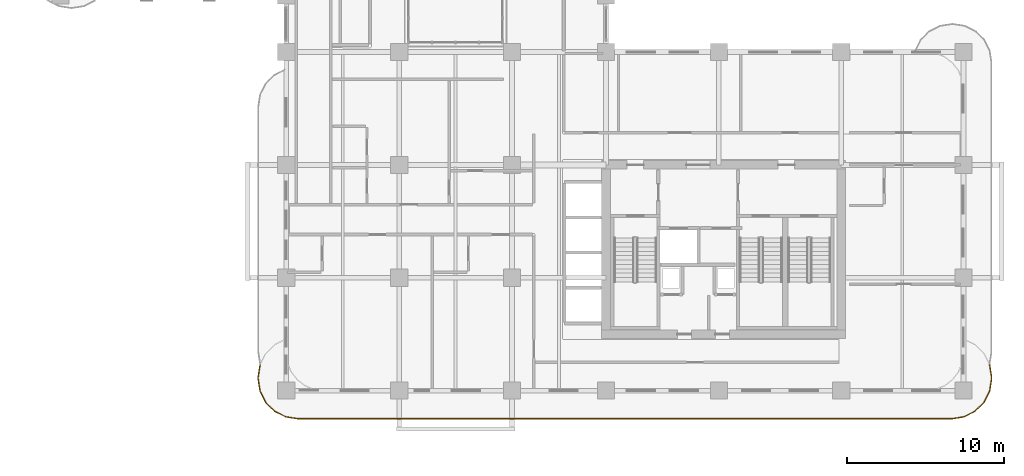
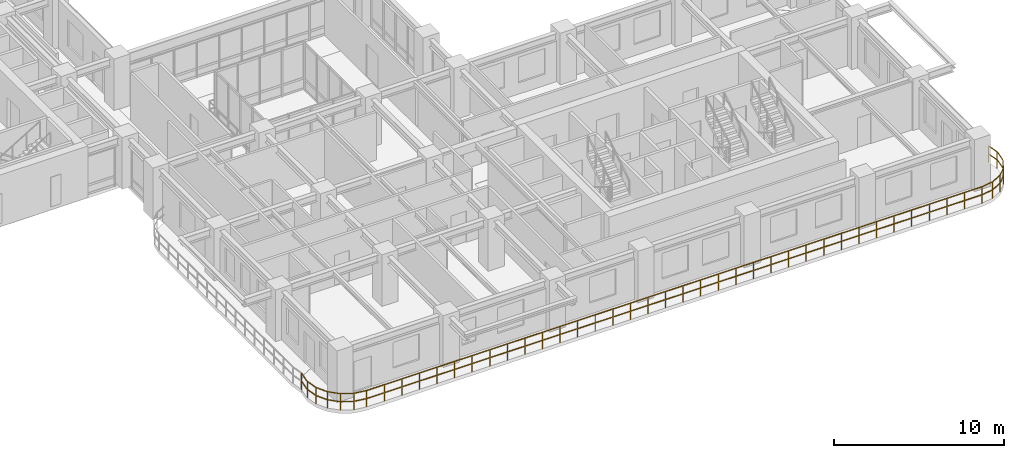
# One storey, part 19 of 22: 1 railing.
"""IFC4 building model written with IfcOpenShell, lengths in metres."""

from ifc_helpers import new_model, si_unit, derived_unit, direction, frame, origin, origin_2d, place, context, subcontext, project, spatial, rectangle, extrude, material, type_object, element, save


model = new_model("IFC4")

# Units and contexts
model_context = context("Model", 3, precision=1e-05, world=origin(), true_north=direction((0.0, 1.0)))
body_context = subcontext(model_context, "Body", "Model", "MODEL_VIEW")
ifc_project = project(units=[si_unit("LENGTHUNIT", "METRE"), si_unit("AREAUNIT", "SQUARE_METRE"), si_unit("VOLUMEUNIT", "CUBIC_METRE"), si_unit("PLANEANGLEUNIT", "RADIAN"), si_unit("MASSUNIT", "GRAM", prefix="KILO"), si_unit("THERMODYNAMICTEMPERATUREUNIT", "KELVIN"), si_unit("POWERUNIT", "WATT"), derived_unit("THERMALTRANSMITTANCEUNIT", [(si_unit("POWERUNIT", "WATT"), 1), (si_unit("AREAUNIT", "SQUARE_METRE"), -1), (si_unit("THERMODYNAMICTEMPERATUREUNIT", "KELVIN"), -1)])], contexts=[model_context])

# Site, building, storey
site_placement = place(None, origin())
site = spatial("IfcSite", under=ifc_project, at=site_placement, CompositionType="ELEMENT")
building_placement = place(site_placement, origin())
building = spatial("IfcBuilding", under=site, at=building_placement, Name="Zahravan Archway Hotel and Residences", CompositionType="ELEMENT")
storey_placement = place(building_placement, frame((0.0, 0.0, 87.89990234375)))
storey = spatial("IfcBuildingStorey", under=building, at=storey_placement, Name="L21", CompositionType="ELEMENT", Elevation=87.89990234375)

# Railing
ifc_material = material(Name="Bronze & Laminated Glass Balustrade", Category="glass")
railing_type = type_object("IfcRailingType", Name="RL-BAL-1200", PredefinedType="BALUSTRADE", material=ifc_material)
railing_placement = place(storey_placement, frame((59.275146484375, 1.637939453125, 0.0)))
element("IfcRailing", 1, at=railing_placement, inside=storey, type_object=railing_type, Name="L21 Balustrade RL-SLB-BAL-L21-SA-1", PredefinedType="BALUSTRADE", context=body_context, shape_type="SweptSolid", body=[
    extrude(rectangle(XDim=0.048095703125, YDim=0.048095703125, at=origin_2d()), frame((0.0, 0.0, 1.17578125), z_axis=(0.156402639467, -0.987693380745, 0.0), x_axis=(0.987693380745, 0.156402639467, 0.0)), (0.0, 0.0, 1.0), 0.797607421875),
    extrude(rectangle(XDim=0.048095703125, YDim=0.048095703125, at=origin_2d()), frame((0.0, 0.0, 0.60009765625), z_axis=(0.156402639467, -0.987693380745, 0.0), x_axis=(0.987693380745, 0.156402639467, 0.0)), (0.0, 0.0, 1.0), 0.797607421875),
    extrude(rectangle(XDim=0.048095703125, YDim=0.048095703125, at=origin_2d()), frame((0.124755859375, -0.787841796875, 1.17578125), z_axis=(0.0, -1.0, 0.0), x_axis=(1.0, 0.0, 0.0)), (0.0, 0.0, 1.0), 0.10009765625),
    extrude(rectangle(XDim=0.048095703125, YDim=0.048095703125, at=origin_2d()), frame((0.124755859375, -0.787841796875, 0.60009765625), z_axis=(0.0, -1.0, 0.0), x_axis=(1.0, 0.0, 0.0)), (0.0, 0.0, 1.0), 0.10009765625),
    extrude(rectangle(XDim=0.048095703125, YDim=0.048095703125, at=origin_2d()), frame((0.124755859375, -0.887939453125, 1.17578125), z_axis=(-0.156355372278, -0.987700864412, 0.0), x_axis=(0.987700864412, -0.156355372278, 0.0)), (0.0, 0.0, 1.0), 0.7978515625),
    extrude(rectangle(XDim=0.048095703125, YDim=0.048095703125, at=origin_2d()), frame((0.124755859375, -0.887939453125, 0.60009765625), z_axis=(-0.156355372278, -0.987700864412, 0.0), x_axis=(0.987700864412, -0.156355372278, 0.0)), (0.0, 0.0, 1.0), 0.7978515625),
    extrude(rectangle(XDim=0.048095703125, YDim=0.048095703125, at=origin_2d()), frame((0.0, -1.676025390625, 1.17578125), z_axis=(-0.453934952053, -0.891034824967, 0.0), x_axis=(0.891034824967, -0.453934952053, 0.0)), (0.0, 0.0, 1.0), 0.797607421875),
    extrude(rectangle(XDim=0.048095703125, YDim=0.048095703125, at=origin_2d()), frame((0.0, -1.676025390625, 0.60009765625), z_axis=(-0.453934952053, -0.891034824967, 0.0), x_axis=(0.891034824967, -0.453934952053, 0.0)), (0.0, 0.0, 1.0), 0.797607421875),
    extrude(rectangle(XDim=0.048095703125, YDim=0.048095703125, at=origin_2d()), frame((-0.362060546875, -2.38671875, 1.17578125), z_axis=(-0.707106781187, -0.707106781187, 0.0), x_axis=(0.707106781187, -0.707106781187, 0.0)), (0.0, 0.0, 1.0), 0.7978515625),
    extrude(rectangle(XDim=0.048095703125, YDim=0.048095703125, at=origin_2d()), frame((-0.362060546875, -2.38671875, 0.60009765625), z_axis=(-0.707106781187, -0.707106781187, 0.0), x_axis=(0.707106781187, -0.707106781187, 0.0)), (0.0, 0.0, 1.0), 0.7978515625),
    extrude(rectangle(XDim=0.048095703125, YDim=0.048095703125, at=origin_2d()), frame((-0.92626953125, -2.950927734375, 1.17578125), z_axis=(-0.890974108706, -0.454054113091, 0.0), x_axis=(0.454054113091, -0.890974108706, 0.0)), (0.0, 0.0, 1.0), 0.7978515625),
    extrude(rectangle(XDim=0.048095703125, YDim=0.048095703125, at=origin_2d()), frame((-0.92626953125, -2.950927734375, 0.60009765625), z_axis=(-0.890974108706, -0.454054113091, 0.0), x_axis=(0.454054113091, -0.890974108706, 0.0)), (0.0, 0.0, 1.0), 0.7978515625),
    extrude(rectangle(XDim=0.048095703125, YDim=0.048095703125, at=origin_2d()), frame((-1.63720703125, -3.313232421875, 1.17578125), z_axis=(-0.987693380745, -0.156402639467, 0.0), x_axis=(0.156402639467, -0.987693380745, 0.0)), (0.0, 0.0, 1.0), 0.797607421875),
    extrude(rectangle(XDim=0.048095703125, YDim=0.048095703125, at=origin_2d()), frame((-1.63720703125, -3.313232421875, 0.60009765625), z_axis=(-0.987693380745, -0.156402639467, 0.0), x_axis=(0.156402639467, -0.987693380745, 0.0)), (0.0, 0.0, 1.0), 0.797607421875),
    extrude(rectangle(XDim=0.048095703125, YDim=0.048095703125, at=origin_2d()), frame((-2.425048828125, -3.43798828125, 1.17578125), z_axis=(-1.0, 0.0, 0.0), x_axis=(0.0, -1.0, 0.0)), (0.0, 0.0, 1.0), 41.7001953125),
    extrude(rectangle(XDim=0.048095703125, YDim=0.048095703125, at=origin_2d()), frame((-2.425048828125, -3.43798828125, 0.60009765625), z_axis=(-1.0, 0.0, 0.0), x_axis=(0.0, -1.0, 0.0)), (0.0, 0.0, 1.0), 41.7001953125),
    extrude(rectangle(XDim=0.048095703125, YDim=0.048095703125, at=origin_2d()), frame((-44.125244140625, -3.43798828125, 1.17578125), z_axis=(-0.987693380745, 0.156402639467, 0.0), x_axis=(-0.156402639467, -0.987693380745, 0.0)), (0.0, 0.0, 1.0), 0.797607421875),
    extrude(rectangle(XDim=0.048095703125, YDim=0.048095703125, at=origin_2d()), frame((-44.125244140625, -3.43798828125, 0.60009765625), z_axis=(-0.987693380745, 0.156402639467, 0.0), x_axis=(-0.156402639467, -0.987693380745, 0.0)), (0.0, 0.0, 1.0), 0.797607421875),
    extrude(rectangle(XDim=0.048095703125, YDim=0.048095703125, at=origin_2d()), frame((-44.9130859375, -3.313232421875, 1.17578125), z_axis=(-0.890974108706, 0.454054113091, 0.0), x_axis=(-0.454054113091, -0.890974108706, 0.0)), (0.0, 0.0, 1.0), 0.7978515625),
    extrude(rectangle(XDim=0.048095703125, YDim=0.048095703125, at=origin_2d()), frame((-44.9130859375, -3.313232421875, 0.60009765625), z_axis=(-0.890974108706, 0.454054113091, 0.0), x_axis=(-0.454054113091, -0.890974108706, 0.0)), (0.0, 0.0, 1.0), 0.7978515625),
    extrude(rectangle(XDim=0.048095703125, YDim=0.048095703125, at=origin_2d()), frame((-45.6240234375, -2.950927734375, 1.17578125), z_axis=(-0.707106781187, 0.707106781187, 0.0), x_axis=(-0.707106781187, -0.707106781187, 0.0)), (0.0, 0.0, 1.0), 0.7978515625),
    extrude(rectangle(XDim=0.048095703125, YDim=0.048095703125, at=origin_2d()), frame((-45.6240234375, -2.950927734375, 0.60009765625), z_axis=(-0.707106781187, 0.707106781187, 0.0), x_axis=(-0.707106781187, -0.707106781187, 0.0)), (0.0, 0.0, 1.0), 0.7978515625),
    extrude(rectangle(XDim=0.048095703125, YDim=0.048095703125, at=origin_2d()), frame((-46.188232421875, -2.38671875, 1.17578125), z_axis=(-0.453934952053, 0.891034824967, 0.0), x_axis=(-0.891034824967, -0.453934952053, 0.0)), (0.0, 0.0, 1.0), 0.797607421875),
    extrude(rectangle(XDim=0.048095703125, YDim=0.048095703125, at=origin_2d()), frame((-46.188232421875, -2.38671875, 0.60009765625), z_axis=(-0.453934952053, 0.891034824967, 0.0), x_axis=(-0.891034824967, -0.453934952053, 0.0)), (0.0, 0.0, 1.0), 0.797607421875),
    extrude(rectangle(XDim=0.048095703125, YDim=0.048095703125, at=origin_2d()), frame((-46.55029296875, -1.676025390625, 1.17578125), z_axis=(-0.156355372278, 0.987700864412, 0.0), x_axis=(-0.987700864412, -0.156355372278, 0.0)), (0.0, 0.0, 1.0), 0.7978515625),
    extrude(rectangle(XDim=0.048095703125, YDim=0.048095703125, at=origin_2d()), frame((-46.55029296875, -1.676025390625, 0.60009765625), z_axis=(-0.156355372278, 0.987700864412, 0.0), x_axis=(-0.987700864412, -0.156355372278, 0.0)), (0.0, 0.0, 1.0), 0.7978515625),
    extrude(rectangle(XDim=0.048095703125, YDim=0.048095703125, at=origin_2d()), frame((-46.675048828125, -0.887939453125, 1.17578125), z_axis=(0.0, 1.0, 0.0), x_axis=(-1.0, 0.0, 0.0)), (0.0, 0.0, 1.0), 0.10009765625),
    extrude(rectangle(XDim=0.048095703125, YDim=0.048095703125, at=origin_2d()), frame((-46.675048828125, -0.887939453125, 0.60009765625), z_axis=(0.0, 1.0, 0.0), x_axis=(-1.0, 0.0, 0.0)), (0.0, 0.0, 1.0), 0.10009765625),
    extrude(rectangle(XDim=0.048095703125, YDim=0.048095703125, at=origin_2d()), frame((-46.675048828125, -0.787841796875, 1.17578125), z_axis=(0.156402639467, 0.987693380745, 0.0), x_axis=(-0.987693380745, 0.156402639467, 0.0)), (0.0, 0.0, 1.0), 0.797607421875),
    extrude(rectangle(XDim=0.048095703125, YDim=0.048095703125, at=origin_2d()), frame((-46.675048828125, -0.787841796875, 0.60009765625), z_axis=(0.156402639467, 0.987693380745, 0.0), x_axis=(-0.987693380745, 0.156402639467, 0.0)), (0.0, 0.0, 1.0), 0.797607421875),
    extrude(rectangle(XDim=0.0419921875, YDim=0.0419921875, at=origin_2d()), origin(), (0.0, 0.0, 1.0), 1.15185546875),
    extrude(rectangle(XDim=0.0419921875, YDim=0.0419921875, at=origin_2d()), frame((0.124755859375, -0.787841796875, 0.0)), (0.0, 0.0, 1.0), 1.15185546875),
    extrude(rectangle(XDim=0.0419921875, YDim=0.0419921875, at=origin_2d()), frame((0.0, -1.676025390625, 0.0)), (0.0, 0.0, 1.0), 1.15185546875),
    extrude(rectangle(XDim=0.0419921875, YDim=0.0419921875, at=origin_2d()), frame((-0.362060546875, -2.38671875, 0.0)), (0.0, 0.0, 1.0), 1.15185546875),
    extrude(rectangle(XDim=0.0419921875, YDim=0.0419921875, at=origin_2d()), frame((-0.92626953125, -2.950927734375, 0.0)), (0.0, 0.0, 1.0), 1.15185546875),
    extrude(rectangle(XDim=0.0419921875, YDim=0.0419921875, at=origin_2d()), frame((-1.63720703125, -3.313232421875, 0.0)), (0.0, 0.0, 1.0), 1.15185546875),
    extrude(rectangle(XDim=0.0419921875, YDim=0.0419921875, at=origin_2d()), frame((-2.425048828125, -3.43798828125, 0.0)), (0.0, 0.0, 1.0), 1.15185546875),
    extrude(rectangle(XDim=0.0419921875, YDim=0.0419921875, at=origin_2d()), frame((-3.616455078125, -3.43798828125, 0.0)), (0.0, 0.0, 1.0), 1.15185546875),
    extrude(rectangle(XDim=0.0419921875, YDim=0.0419921875, at=origin_2d()), frame((-4.807861328125, -3.43798828125, 0.0)), (0.0, 0.0, 1.0), 1.15185546875),
    extrude(rectangle(XDim=0.0419921875, YDim=0.0419921875, at=origin_2d()), frame((-5.999267578125, -3.43798828125, 0.0)), (0.0, 0.0, 1.0), 1.15185546875),
    extrude(rectangle(XDim=0.0419921875, YDim=0.0419921875, at=origin_2d()), frame((-7.190673828125, -3.43798828125, 0.0)), (0.0, 0.0, 1.0), 1.15185546875),
    extrude(rectangle(XDim=0.0419921875, YDim=0.0419921875, at=origin_2d()), frame((-8.38232421875, -3.43798828125, 0.0)), (0.0, 0.0, 1.0), 1.15185546875),
    extrude(rectangle(XDim=0.0419921875, YDim=0.0419921875, at=origin_2d()), frame((-9.57373046875, -3.43798828125, 0.0)), (0.0, 0.0, 1.0), 1.15185546875),
    extrude(rectangle(XDim=0.0419921875, YDim=0.0419921875, at=origin_2d()), frame((-10.76513671875, -3.43798828125, 0.0)), (0.0, 0.0, 1.0), 1.15185546875),
    extrude(rectangle(XDim=0.0419921875, YDim=0.0419921875, at=origin_2d()), frame((-11.95654296875, -3.43798828125, 0.0)), (0.0, 0.0, 1.0), 1.15185546875),
    extrude(rectangle(XDim=0.0419921875, YDim=0.0419921875, at=origin_2d()), frame((-13.14794921875, -3.43798828125, 0.0)), (0.0, 0.0, 1.0), 1.15185546875),
    extrude(rectangle(XDim=0.0419921875, YDim=0.0419921875, at=origin_2d()), frame((-14.33935546875, -3.43798828125, 0.0)), (0.0, 0.0, 1.0), 1.15185546875),
    extrude(rectangle(XDim=0.0419921875, YDim=0.0419921875, at=origin_2d()), frame((-15.53076171875, -3.43798828125, 0.0)), (0.0, 0.0, 1.0), 1.15185546875),
    extrude(rectangle(XDim=0.0419921875, YDim=0.0419921875, at=origin_2d()), frame((-16.72216796875, -3.43798828125, 0.0)), (0.0, 0.0, 1.0), 1.15185546875),
    extrude(rectangle(XDim=0.0419921875, YDim=0.0419921875, at=origin_2d()), frame((-17.91357421875, -3.43798828125, 0.0)), (0.0, 0.0, 1.0), 1.15185546875),
    extrude(rectangle(XDim=0.0419921875, YDim=0.0419921875, at=origin_2d()), frame((-19.105224609375, -3.43798828125, 0.0)), (0.0, 0.0, 1.0), 1.15185546875),
    extrude(rectangle(XDim=0.0419921875, YDim=0.0419921875, at=origin_2d()), frame((-20.296630859375, -3.43798828125, 0.0)), (0.0, 0.0, 1.0), 1.15185546875),
    extrude(rectangle(XDim=0.0419921875, YDim=0.0419921875, at=origin_2d()), frame((-21.488037109375, -3.43798828125, 0.0)), (0.0, 0.0, 1.0), 1.15185546875),
    extrude(rectangle(XDim=0.0419921875, YDim=0.0419921875, at=origin_2d()), frame((-22.679443359375, -3.43798828125, 0.0)), (0.0, 0.0, 1.0), 1.15185546875),
    extrude(rectangle(XDim=0.0419921875, YDim=0.0419921875, at=origin_2d()), frame((-23.870849609375, -3.43798828125, 0.0)), (0.0, 0.0, 1.0), 1.15185546875),
    extrude(rectangle(XDim=0.0419921875, YDim=0.0419921875, at=origin_2d()), frame((-25.062255859375, -3.43798828125, 0.0)), (0.0, 0.0, 1.0), 1.15185546875),
    extrude(rectangle(XDim=0.0419921875, YDim=0.0419921875, at=origin_2d()), frame((-26.253662109375, -3.43798828125, 0.0)), (0.0, 0.0, 1.0), 1.15185546875),
    extrude(rectangle(XDim=0.0419921875, YDim=0.0419921875, at=origin_2d()), frame((-27.445068359375, -3.43798828125, 0.0)), (0.0, 0.0, 1.0), 1.15185546875),
    extrude(rectangle(XDim=0.0419921875, YDim=0.0419921875, at=origin_2d()), frame((-28.63671875, -3.43798828125, 0.0)), (0.0, 0.0, 1.0), 1.15185546875),
    extrude(rectangle(XDim=0.0419921875, YDim=0.0419921875, at=origin_2d()), frame((-29.828125, -3.43798828125, 0.0)), (0.0, 0.0, 1.0), 1.15185546875),
    extrude(rectangle(XDim=0.0419921875, YDim=0.0419921875, at=origin_2d()), frame((-31.01953125, -3.43798828125, 0.0)), (0.0, 0.0, 1.0), 1.15185546875),
    extrude(rectangle(XDim=0.0419921875, YDim=0.0419921875, at=origin_2d()), frame((-32.2109375, -3.43798828125, 0.0)), (0.0, 0.0, 1.0), 1.15185546875),
    extrude(rectangle(XDim=0.0419921875, YDim=0.0419921875, at=origin_2d()), frame((-33.40234375, -3.43798828125, 0.0)), (0.0, 0.0, 1.0), 1.15185546875),
    extrude(rectangle(XDim=0.0419921875, YDim=0.0419921875, at=origin_2d()), frame((-34.59375, -3.43798828125, 0.0)), (0.0, 0.0, 1.0), 1.15185546875),
    extrude(rectangle(XDim=0.0419921875, YDim=0.0419921875, at=origin_2d()), frame((-35.78515625, -3.43798828125, 0.0)), (0.0, 0.0, 1.0), 1.15185546875),
    extrude(rectangle(XDim=0.0419921875, YDim=0.0419921875, at=origin_2d()), frame((-36.9765625, -3.43798828125, 0.0)), (0.0, 0.0, 1.0), 1.15185546875),
    extrude(rectangle(XDim=0.0419921875, YDim=0.0419921875, at=origin_2d()), frame((-38.16796875, -3.43798828125, 0.0)), (0.0, 0.0, 1.0), 1.15185546875),
    extrude(rectangle(XDim=0.0419921875, YDim=0.0419921875, at=origin_2d()), frame((-39.359619140625, -3.43798828125, 0.0)), (0.0, 0.0, 1.0), 1.15185546875),
    extrude(rectangle(XDim=0.0419921875, YDim=0.0419921875, at=origin_2d()), frame((-40.551025390625, -3.43798828125, 0.0)), (0.0, 0.0, 1.0), 1.15185546875),
    extrude(rectangle(XDim=0.0419921875, YDim=0.0419921875, at=origin_2d()), frame((-41.742431640625, -3.43798828125, 0.0)), (0.0, 0.0, 1.0), 1.15185546875),
    extrude(rectangle(XDim=0.0419921875, YDim=0.0419921875, at=origin_2d()), frame((-42.933837890625, -3.43798828125, 0.0)), (0.0, 0.0, 1.0), 1.15185546875),
    extrude(rectangle(XDim=0.0419921875, YDim=0.0419921875, at=origin_2d()), frame((-44.125244140625, -3.43798828125, 0.0)), (0.0, 0.0, 1.0), 1.15185546875),
    extrude(rectangle(XDim=0.0419921875, YDim=0.0419921875, at=origin_2d()), frame((-44.9130859375, -3.313232421875, 0.0)), (0.0, 0.0, 1.0), 1.15185546875),
    extrude(rectangle(XDim=0.0419921875, YDim=0.0419921875, at=origin_2d()), frame((-45.6240234375, -2.950927734375, 0.0)), (0.0, 0.0, 1.0), 1.15185546875),
    extrude(rectangle(XDim=0.0419921875, YDim=0.0419921875, at=origin_2d()), frame((-46.188232421875, -2.38671875, 0.0)), (0.0, 0.0, 1.0), 1.15185546875),
    extrude(rectangle(XDim=0.0419921875, YDim=0.0419921875, at=origin_2d()), frame((-46.55029296875, -1.676025390625, 0.0)), (0.0, 0.0, 1.0), 1.15185546875),
    extrude(rectangle(XDim=0.0419921875, YDim=0.0419921875, at=origin_2d()), frame((-46.675048828125, -0.887939453125, 0.0)), (0.0, 0.0, 1.0), 1.15185546875),
    extrude(rectangle(XDim=0.0419921875, YDim=0.0419921875, at=origin_2d()), frame((-46.55029296875, 0.0, 0.0)), (0.0, 0.0, 1.0), 1.15185546875),
])

save(model, "model.ifc")
